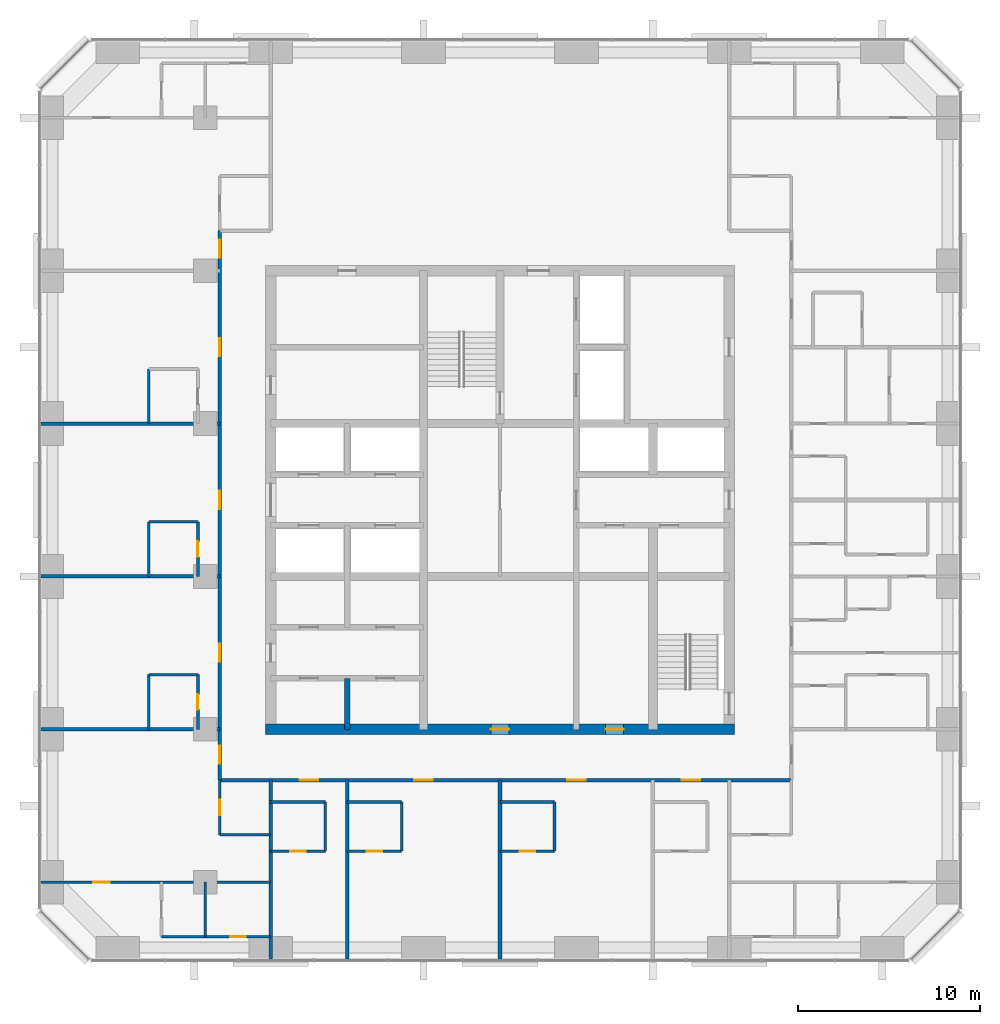
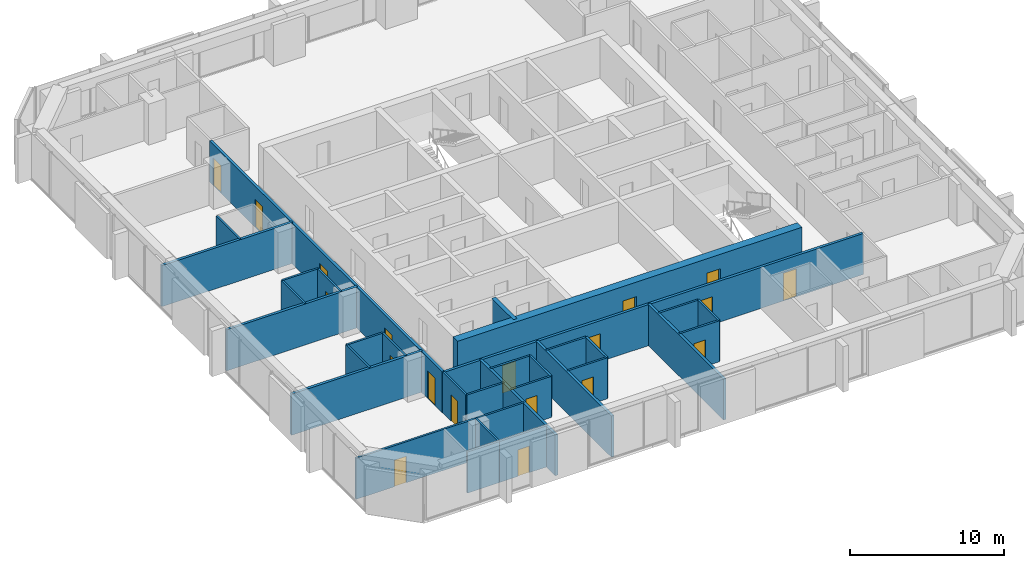
# One storey, part 8 of 13: 32 walls, 19 doors, 19 openings.
"""IFC4 building model written with IfcOpenShell, lengths in metres."""

from ifc_helpers import new_model, si_unit, direction, frame, frame_2d, origin, place, context, subcontext, project, spatial, rectangle, extrude, material, layer, layer_set, type_object, element, fill, save


model = new_model("IFC4")

# Units and contexts
model_context = context("Model", 3, precision=1e-05, world=origin(), true_north=direction((0.0, 1.0)))
body_context = subcontext(model_context, "Body", "Model", "MODEL_VIEW")
ifc_project = project(units=[si_unit("LENGTHUNIT", "METRE"), si_unit("AREAUNIT", "SQUARE_METRE"), si_unit("VOLUMEUNIT", "CUBIC_METRE"), si_unit("PLANEANGLEUNIT", "RADIAN"), si_unit("MASSUNIT", "GRAM", prefix="KILO")], contexts=[model_context])

# Site, building, storey
site_placement = place(None, origin())
site = spatial("IfcSite", under=ifc_project, at=site_placement, CompositionType="ELEMENT")
building_placement = place(site_placement, origin())
building = spatial("IfcBuilding", under=site, at=building_placement, Name="Dunama Terrace Hotel", CompositionType="ELEMENT")
storey_placement = place(building_placement, frame((0.0, 0.0, 191.39990234375)))
storey = spatial("IfcBuildingStorey", under=building, at=storey_placement, Name="L49", CompositionType="ELEMENT", Elevation=191.39990234375)

# Walls
ifc_material_1 = material(Name="Gypsum board partition", Category="masonry")
ifc_layer_1 = layer(ifc_material_1, 0.14990234375)
ifc_layer_set_1 = layer_set([ifc_layer_1], Name="Bathroom partition 150")
wall_type_1 = type_object("IfcWallType", Name="Bathroom partition 150", PredefinedType="PARTITIONING", material=ifc_layer_set_1)
for number, where, z_axis, x_axis, name in (
    (1, (10.10009765625, 16.800048828125, 0.0), (0.0, 0.0, 1.0), (0.0, 1.0, 0.0), "Bathroom partition 150 L49"),
    (2, (10.10009765625, 25.199951171875, 0.0), (0.0, 0.0, 1.0), (0.0, 1.0, 0.0), "Bathroom partition 150 L49"),
    (3, (10.10009765625, 33.60009765625, 0.0), (0.0, 0.0, 1.0), (0.0, 1.0, 0.0), "Bathroom partition 150 L49"),
):
    element("IfcWall", number, at=place(storey_placement, frame(where, z_axis=z_axis, x_axis=x_axis)), inside=storey, type_object=wall_type_1, Name=name, PredefinedType="PARTITIONING", context=body_context, shape_type="SweptSolid", body=[
        extrude(rectangle(XDim=3.0, YDim=0.14990234375, at=frame_2d((1.5, 0.0))), origin(), (0.0, 0.0, 1.0), 3.25),
    ])

# Wall, opening, door
wall_1_placement = place(storey_placement, frame((12.800048828125, 16.800048828125, 0.0), z_axis=(0.0, 0.0, 1.0), x_axis=(0.0, 1.0, 0.0)))
wall_1 = element("IfcWall", 4, at=wall_1_placement, inside=storey, type_object=wall_type_1, Name="Bathroom partition 150 L49", PredefinedType="PARTITIONING", context=body_context, shape_type="SweptSolid", body=[
    extrude(rectangle(XDim=3.0, YDim=0.14990234375, at=frame_2d((1.5, 0.0))), origin(), (0.0, 0.0, 1.0), 3.25),
])
opening_1_placement = place(wall_1_placement, frame((1.074951171875, 0.0, 0.0)))
opening_1 = element("IfcOpeningElement", 5, at=opening_1_placement, cuts=wall_1, Name="Opening L48-50-034", PredefinedType="OPENING", context=body_context, shape_type="SweptSolid", body=[
    extrude(rectangle(XDim=0.85009765625, YDim=2.10009765625, at=frame_2d((0.425048828125, 1.050048828125))), frame((0.0, 0.0849609375, 0.0), z_axis=(0.0, -1.0, 0.0), x_axis=(1.0, 0.0, 0.0)), (0.0, 0.0, 1.0), 0.169921875),
])
ifc_material_2 = material(Name="Timber door with steel frame", Category="steel")
door_type_1 = type_object("IfcDoorType", Name="Bathroom door 850", OperationType="SINGLE_SWING_LEFT", PredefinedType="DOOR", material=ifc_material_2)
door_1_placement = place(opening_1_placement, origin())
door_1 = element("IfcDoor", 6, at=door_1_placement, inside=storey, type_object=door_type_1, Name="Door to en-suite bathroom L48-50-034, type D2", OperationType="SINGLE_SWING_LEFT", OverallHeight=2.10009765625, OverallWidth=0.85009765625, PredefinedType="DOOR", context=body_context, shape_type="SweptSolid", body=[
    extrude(rectangle(XDim=0.85009765625, YDim=2.10009765625, at=frame_2d((0.425048828125, 1.050048828125))), frame((0.0, 0.02490234375, 0.0), z_axis=(0.0, -1.0, 0.0), x_axis=(1.0, 0.0, 0.0)), (0.0, 0.0, 1.0), 0.050048828125),
])
fill(opening_1, door_1)

wall_2_placement = place(storey_placement, frame((12.800048828125, 25.199951171875, 0.0), z_axis=(0.0, 0.0, 1.0), x_axis=(0.0, 1.0, 0.0)))
wall_2 = element("IfcWall", 7, at=wall_2_placement, inside=storey, type_object=wall_type_1, Name="Bathroom partition 150 L49", PredefinedType="PARTITIONING", context=body_context, shape_type="SweptSolid", body=[
    extrude(rectangle(XDim=3.0, YDim=0.14990234375, at=frame_2d((1.5, 0.0))), origin(), (0.0, 0.0, 1.0), 3.25),
])
opening_2_placement = place(wall_2_placement, frame((1.074951171875, 0.0, 0.0)))
opening_2 = element("IfcOpeningElement", 8, at=opening_2_placement, cuts=wall_2, Name="Opening L48-50-036", PredefinedType="OPENING", context=body_context, shape_type="SweptSolid", body=[
    extrude(rectangle(XDim=0.85009765625, YDim=2.10009765625, at=frame_2d((0.425048828125, 1.050048828125))), frame((0.0, 0.0849609375, 0.0), z_axis=(0.0, -1.0, 0.0), x_axis=(1.0, 0.0, 0.0)), (0.0, 0.0, 1.0), 0.169921875),
])
door_2_placement = place(opening_2_placement, origin())
door_2 = element("IfcDoor", 9, at=door_2_placement, inside=storey, type_object=door_type_1, Name="Door to en-suite bathroom L48-50-036, type D2", OperationType="SINGLE_SWING_LEFT", OverallHeight=2.10009765625, OverallWidth=0.85009765625, PredefinedType="DOOR", context=body_context, shape_type="SweptSolid", body=[
    extrude(rectangle(XDim=0.85009765625, YDim=2.10009765625, at=frame_2d((0.425048828125, 1.050048828125))), frame((0.0, 0.02490234375, 0.0), z_axis=(0.0, -1.0, 0.0), x_axis=(1.0, 0.0, 0.0)), (0.0, 0.0, 1.0), 0.050048828125),
])
fill(opening_2, door_2)

wall_3_placement = place(storey_placement, frame((14.0, 11.0, 0.0), z_axis=(0.0, 0.0, 1.0), x_axis=(0.0, 1.0, 0.0)))
wall_3 = element("IfcWall", 10, at=wall_3_placement, inside=storey, type_object=wall_type_1, Name="Bathroom partition 150 L49", PredefinedType="PARTITIONING", context=body_context, shape_type="SweptSolid", body=[
    extrude(rectangle(XDim=3.0, YDim=0.14990234375, at=frame_2d((1.5, 0.0))), origin(), (0.0, 0.0, 1.0), 3.25),
])
opening_3_placement = place(wall_3_placement, frame((1.074951171875, 0.0, 0.0)))
opening_3 = element("IfcOpeningElement", 11, at=opening_3_placement, cuts=wall_3, Name="Opening L48-50-040", PredefinedType="OPENING", context=body_context, shape_type="SweptSolid", body=[
    extrude(rectangle(XDim=0.85009765625, YDim=2.10009765625, at=frame_2d((0.425048828125, 1.050048828125))), frame((0.0, 0.0849609375, 0.0), z_axis=(0.0, -1.0, 0.0), x_axis=(1.0, 0.0, 0.0)), (0.0, 0.0, 1.0), 0.169921875),
])
door_3_placement = place(opening_3_placement, frame((0.85009765625, 0.0, 0.0), z_axis=(0.0, 0.0, 1.0), x_axis=(-1.0, 0.0, 0.0)))
door_3 = element("IfcDoor", 12, at=door_3_placement, inside=storey, type_object=door_type_1, Name="Door to powder room L48-50-040, type D2", OperationType="SINGLE_SWING_LEFT", OverallHeight=2.10009765625, OverallWidth=0.85009765625, PredefinedType="DOOR", context=body_context, shape_type="SweptSolid", body=[
    extrude(rectangle(XDim=0.85009765625, YDim=2.10009765625, at=frame_2d((0.425048828125, 1.050048828125))), frame((0.0, 0.025146484375, 0.0), z_axis=(0.0, -1.0, 0.0), x_axis=(1.0, 0.0, 0.0)), (0.0, 0.0, 1.0), 0.050048828125),
])
fill(opening_3, door_3)

# Walls
for number, where, z_axis, x_axis, name in (
    (13, (19.800048828125, 10.10009765625, 0.0), (0.0, 0.0, 1.0), (0.0, 1.0, 0.0), "Bathroom partition 150 L49"),
    (14, (24.0, 10.10009765625, 0.0), (0.0, 0.0, 1.0), (0.0, 1.0, 0.0), "Bathroom partition 150 L49"),
    (15, (32.39990234375, 10.10009765625, 0.0), (0.0, 0.0, 1.0), (0.0, 1.0, 0.0), "Bathroom partition 150 L49"),
):
    element("IfcWall", number, at=place(storey_placement, frame(where, z_axis=z_axis, x_axis=x_axis)), inside=storey, type_object=wall_type_1, Name=name, PredefinedType="PARTITIONING", context=body_context, shape_type="SweptSolid", body=[
        extrude(rectangle(XDim=2.699951171875, YDim=0.14990234375, at=frame_2d((1.35009765625, 0.0))), origin(), (0.0, 0.0, 1.0), 3.25),
    ])

# Wall, opening, door
wall_4_placement = place(storey_placement, frame((13.199951171875, 5.39990234375, 0.0), z_axis=(0.0, 0.0, 1.0), x_axis=(1.0, 0.0, 0.0)))
wall_4 = element("IfcWall", 16, at=wall_4_placement, inside=storey, type_object=wall_type_1, Name="Bathroom partition 150 L49", PredefinedType="PARTITIONING", context=body_context, shape_type="SweptSolid", body=[
    extrude(rectangle(XDim=3.60009765625, YDim=0.14990234375, at=frame_2d((1.800048828125, 0.0))), origin(), (0.0, 0.0, 1.0), 3.25),
])
opening_4_placement = place(wall_4_placement, frame((1.375, 0.0, 0.0)))
opening_4 = element("IfcOpeningElement", 17, at=opening_4_placement, cuts=wall_4, Name="Opening L48-50-042", PredefinedType="OPENING", context=body_context, shape_type="SweptSolid", body=[
    extrude(rectangle(XDim=0.85009765625, YDim=2.10009765625, at=frame_2d((0.425048828125, 1.050048828125))), frame((0.0, 0.0849609375, 0.0), z_axis=(0.0, -1.0, 0.0), x_axis=(1.0, 0.0, 0.0)), (0.0, 0.0, 1.0), 0.169921875),
])
door_4_placement = place(opening_4_placement, origin())
door_4 = element("IfcDoor", 18, at=door_4_placement, inside=storey, type_object=door_type_1, Name="Door to en-suite bathroom L48-50-042, type D2", OperationType="SINGLE_SWING_RIGHT", OverallHeight=2.10009765625, OverallWidth=0.85009765625, PredefinedType="DOOR", context=body_context, shape_type="SweptSolid", body=[
    extrude(rectangle(XDim=0.85009765625, YDim=2.10009765625, at=frame_2d((0.425048828125, 1.050048828125))), frame((0.0, 0.02490234375, 0.0), z_axis=(0.0, -1.0, 0.0), x_axis=(1.0, 0.0, 0.0)), (0.0, 0.0, 1.0), 0.050048828125),
])
fill(opening_4, door_4)

wall_5_placement = place(storey_placement, frame((16.800048828125, 10.10009765625, 0.0), z_axis=(0.0, 0.0, 1.0), x_axis=(1.0, 0.0, 0.0)))
wall_5 = element("IfcWall", 19, at=wall_5_placement, inside=storey, type_object=wall_type_1, Name="Bathroom partition 150 L49", PredefinedType="PARTITIONING", context=body_context, shape_type="SweptSolid", body=[
    extrude(rectangle(XDim=3.0, YDim=0.14990234375, at=frame_2d((1.5, 0.0))), origin(), (0.0, 0.0, 1.0), 3.25),
])
opening_5_placement = place(wall_5_placement, frame((1.074951171875, 0.0, 0.0)))
opening_5 = element("IfcOpeningElement", 20, at=opening_5_placement, cuts=wall_5, Name="Opening L48-50-010", PredefinedType="OPENING", context=body_context, shape_type="SweptSolid", body=[
    extrude(rectangle(XDim=0.85009765625, YDim=2.10009765625, at=frame_2d((0.425048828125, 1.050048828125))), frame((0.0, 0.0849609375, 0.0), z_axis=(0.0, -1.0, 0.0), x_axis=(1.0, 0.0, 0.0)), (0.0, 0.0, 1.0), 0.169921875),
])
door_5_placement = place(opening_5_placement, origin())
door_5 = element("IfcDoor", 21, at=door_5_placement, inside=storey, type_object=door_type_1, Name="Door to en-suite bathroom L48-50-010, type D2", OperationType="SINGLE_SWING_LEFT", OverallHeight=2.10009765625, OverallWidth=0.85009765625, PredefinedType="DOOR", context=body_context, shape_type="SweptSolid", body=[
    extrude(rectangle(XDim=0.85009765625, YDim=2.10009765625, at=frame_2d((0.425048828125, 1.050048828125))), frame((0.0, 0.02490234375, 0.0), z_axis=(0.0, -1.0, 0.0), x_axis=(1.0, 0.0, 0.0)), (0.0, 0.0, 1.0), 0.050048828125),
])
fill(opening_5, door_5)

wall_6_placement = place(storey_placement, frame((21.0, 10.10009765625, 0.0), z_axis=(0.0, 0.0, 1.0), x_axis=(1.0, 0.0, 0.0)))
wall_6 = element("IfcWall", 22, at=wall_6_placement, inside=storey, type_object=wall_type_1, Name="Bathroom partition 150 L49", PredefinedType="PARTITIONING", context=body_context, shape_type="SweptSolid", body=[
    extrude(rectangle(XDim=3.0, YDim=0.14990234375, at=frame_2d((1.5, 0.0))), origin(), (0.0, 0.0, 1.0), 3.25),
])
opening_6_placement = place(wall_6_placement, frame((1.074951171875, 0.0, 0.0)))
opening_6 = element("IfcOpeningElement", 23, at=opening_6_placement, cuts=wall_6, Name="Opening L48-50-012", PredefinedType="OPENING", context=body_context, shape_type="SweptSolid", body=[
    extrude(rectangle(XDim=0.85009765625, YDim=2.10009765625, at=frame_2d((0.425048828125, 1.050048828125))), frame((0.0, 0.0849609375, 0.0), z_axis=(0.0, -1.0, 0.0), x_axis=(1.0, 0.0, 0.0)), (0.0, 0.0, 1.0), 0.169921875),
])
door_6_placement = place(opening_6_placement, origin())
door_6 = element("IfcDoor", 24, at=door_6_placement, inside=storey, type_object=door_type_1, Name="Door to en-suite bathroom L48-50-012, type D2", OperationType="SINGLE_SWING_LEFT", OverallHeight=2.10009765625, OverallWidth=0.85009765625, PredefinedType="DOOR", context=body_context, shape_type="SweptSolid", body=[
    extrude(rectangle(XDim=0.85009765625, YDim=2.10009765625, at=frame_2d((0.425048828125, 1.050048828125))), frame((0.0, 0.02490234375, 0.0), z_axis=(0.0, -1.0, 0.0), x_axis=(1.0, 0.0, 0.0)), (0.0, 0.0, 1.0), 0.050048828125),
])
fill(opening_6, door_6)

wall_7_placement = place(storey_placement, frame((29.39990234375, 10.10009765625, 0.0), z_axis=(0.0, 0.0, 1.0), x_axis=(1.0, 0.0, 0.0)))
wall_7 = element("IfcWall", 25, at=wall_7_placement, inside=storey, type_object=wall_type_1, Name="Bathroom partition 150 L49", PredefinedType="PARTITIONING", context=body_context, shape_type="SweptSolid", body=[
    extrude(rectangle(XDim=3.0, YDim=0.14990234375, at=frame_2d((1.5, 0.0))), origin(), (0.0, 0.0, 1.0), 3.25),
])
opening_7_placement = place(wall_7_placement, frame((1.074951171875, 0.0, 0.0)))
opening_7 = element("IfcOpeningElement", 26, at=opening_7_placement, cuts=wall_7, Name="Opening L48-50-014", PredefinedType="OPENING", context=body_context, shape_type="SweptSolid", body=[
    extrude(rectangle(XDim=0.85009765625, YDim=2.10009765625, at=frame_2d((0.425048828125, 1.050048828125))), frame((0.0, 0.0849609375, 0.0), z_axis=(0.0, -1.0, 0.0), x_axis=(1.0, 0.0, 0.0)), (0.0, 0.0, 1.0), 0.169921875),
])
door_7_placement = place(opening_7_placement, origin())
door_7 = element("IfcDoor", 27, at=door_7_placement, inside=storey, type_object=door_type_1, Name="Door to en-suite bathroom L48-50-014, type D2", OperationType="SINGLE_SWING_LEFT", OverallHeight=2.10009765625, OverallWidth=0.85009765625, PredefinedType="DOOR", context=body_context, shape_type="SweptSolid", body=[
    extrude(rectangle(XDim=0.85009765625, YDim=2.10009765625, at=frame_2d((0.425048828125, 1.050048828125))), frame((0.0, 0.02490234375, 0.0), z_axis=(0.0, -1.0, 0.0), x_axis=(1.0, 0.0, 0.0)), (0.0, 0.0, 1.0), 0.050048828125),
])
fill(opening_7, door_7)

# Walls
wall_8_placement = place(storey_placement, frame((14.0, 11.0, 0.0), z_axis=(0.0, 0.0, 1.0), x_axis=(1.0, 0.0, 0.0)))
element("IfcWall", 28, at=wall_8_placement, inside=storey, type_object=wall_type_1, Name="Bathroom partition 150 L49", PredefinedType="PARTITIONING", context=body_context, shape_type="SweptSolid", body=[
    extrude(rectangle(XDim=2.800048828125, YDim=0.14990234375, at=frame_2d((1.39990234375, 0.0))), origin(), (0.0, 0.0, 1.0), 3.25),
])
for number, where, z_axis, x_axis, name in (
    (29, (16.800048828125, 12.800048828125, 0.0), (0.0, 0.0, 1.0), (1.0, 0.0, 0.0), "Bathroom partition 150 L49"),
    (30, (21.0, 12.800048828125, 0.0), (0.0, 0.0, 1.0), (1.0, 0.0, 0.0), "Bathroom partition 150 L49"),
    (31, (29.39990234375, 12.800048828125, 0.0), (0.0, 0.0, 1.0), (1.0, 0.0, 0.0), "Bathroom partition 150 L49"),
):
    element("IfcWall", number, at=place(storey_placement, frame(where, z_axis=z_axis, x_axis=x_axis)), inside=storey, type_object=wall_type_1, Name=name, PredefinedType="PARTITIONING", context=body_context, shape_type="SweptSolid", body=[
        extrude(rectangle(XDim=3.0, YDim=0.14990234375, at=frame_2d((1.5, 0.0))), origin(), (0.0, 0.0, 1.0), 3.25),
    ])
for number, where, z_axis, x_axis, name in (
    (32, (10.10009765625, 19.800048828125, 0.0), (0.0, 0.0, 1.0), (1.0, 0.0, 0.0), "Bathroom partition 150 L49"),
    (33, (10.10009765625, 28.199951171875, 0.0), (0.0, 0.0, 1.0), (1.0, 0.0, 0.0), "Bathroom partition 150 L49"),
):
    element("IfcWall", number, at=place(storey_placement, frame(where, z_axis=z_axis, x_axis=x_axis)), inside=storey, type_object=wall_type_1, Name=name, PredefinedType="PARTITIONING", context=body_context, shape_type="SweptSolid", body=[
        extrude(rectangle(XDim=2.699951171875, YDim=0.14990234375, at=frame_2d((1.35009765625, 0.0))), origin(), (0.0, 0.0, 1.0), 3.25),
    ])
ifc_material_3 = material(Name="Concrete C50/60", Category="concrete")
ifc_layer_2 = layer(ifc_material_3, 0.300048828125)
ifc_layer_set_2 = layer_set([ifc_layer_2], Name="Core inner wall 300")
wall_type_2 = type_object("IfcWallType", Name="Core inner wall 300", PredefinedType="SHEAR", material=ifc_layer_set_2)
wall_9_placement = place(storey_placement, frame((21.0, 16.800048828125, -0.349853515625), z_axis=(0.0, 0.0, 1.0), x_axis=(0.0, 1.0, 0.0)))
element("IfcWall", 34, at=wall_9_placement, inside=storey, type_object=wall_type_2, Name="Core inner wall 300 L49", PredefinedType="SHEAR", context=body_context, shape_type="SweptSolid", body=[
    extrude(rectangle(XDim=2.800048828125, YDim=0.300048828125, at=frame_2d((1.39990234375, 0.0))), origin(), (0.0, 0.0, 1.0), 3.599853515625),
])

# Wall, openings, doors
ifc_material_4 = material(Name="Concrete C50/60", Category="concrete")
ifc_layer_3 = layer(ifc_material_4, 0.60009765625)
ifc_layer_set_3 = layer_set([ifc_layer_3], Name="Core wall 600")
wall_type_3 = type_object("IfcWallType", Name="Core wall 600", PredefinedType="SHEAR", material=ifc_layer_set_3)
wall_10_placement = place(storey_placement, frame((16.5, 16.800048828125, -0.349853515625), z_axis=(0.0, 0.0, 1.0), x_axis=(1.0, 0.0, 0.0)))
wall_10 = element("IfcWall", 35, at=wall_10_placement, inside=storey, type_object=wall_type_3, Name="Core wall south L49", PredefinedType="SHEAR", context=body_context, shape_type="SweptSolid", body=[
    extrude(rectangle(XDim=25.800048828125, YDim=0.60009765625, at=frame_2d((12.89990234375, 0.0))), origin(), (0.0, 0.0, 1.0), 3.599853515625),
])
opening_8_placement = place(wall_10_placement, frame((12.39990234375, 0.0, 0.35009765625)))
opening_8 = element("IfcOpeningElement", 36, at=opening_8_placement, cuts=wall_10, Name="Opening L48-50-074", PredefinedType="OPENING", context=body_context, shape_type="SweptSolid", body=[
    extrude(rectangle(XDim=1.0, YDim=2.10009765625, at=frame_2d((0.5, 1.050048828125))), frame((0.0, 0.31005859375, 0.0), z_axis=(0.0, -1.0, 0.0), x_axis=(1.0, 0.0, 0.0)), (0.0, 0.0, 1.0), 0.6201171875),
])
opening_9_placement = place(wall_10_placement, frame((18.699951171875, 0.0, 0.35009765625)))
opening_9 = element("IfcOpeningElement", 37, at=opening_9_placement, cuts=wall_10, Name="Opening L48-50-075", PredefinedType="OPENING", context=body_context, shape_type="SweptSolid", body=[
    extrude(rectangle(XDim=1.0, YDim=2.10009765625, at=frame_2d((0.5, 1.050048828125))), frame((0.0, 0.31005859375, 0.0), z_axis=(0.0, -1.0, 0.0), x_axis=(1.0, 0.0, 0.0)), (0.0, 0.0, 1.0), 0.6201171875),
])
ifc_material_5 = material(Name="Timber door with steel frame", Category="steel")
door_type_2 = type_object("IfcDoorType", Name="Service door 1000", OperationType="SINGLE_SWING_LEFT", PredefinedType="DOOR", material=ifc_material_5)
door_8_placement = place(opening_8_placement, origin())
door_8 = element("IfcDoor", 38, at=door_8_placement, inside=storey, type_object=door_type_2, Name="Door to corridor air handling room L48-50-074, type D7", OperationType="SINGLE_SWING_LEFT", OverallHeight=2.10009765625, OverallWidth=1.0, PredefinedType="DOOR", context=body_context, shape_type="SweptSolid", body=[
    extrude(rectangle(XDim=1.0, YDim=2.10009765625, at=frame_2d((0.5, 1.050048828125))), frame((0.0, 0.02490234375, 0.0), z_axis=(0.0, -1.0, 0.0), x_axis=(1.0, 0.0, 0.0)), (0.0, 0.0, 1.0), 0.050048828125),
])
fill(opening_8, door_8)
door_9_placement = place(opening_9_placement, origin())
door_9 = element("IfcDoor", 39, at=door_9_placement, inside=storey, type_object=door_type_2, Name="Door to water riser room L48-50-075, type D7", OperationType="SINGLE_SWING_RIGHT", OverallHeight=2.10009765625, OverallWidth=1.0, PredefinedType="DOOR", context=body_context, shape_type="SweptSolid", body=[
    extrude(rectangle(XDim=1.0, YDim=2.10009765625, at=frame_2d((0.5, 1.050048828125))), frame((0.0, 0.02490234375, 0.0), z_axis=(0.0, -1.0, 0.0), x_axis=(1.0, 0.0, 0.0)), (0.0, 0.0, 1.0), 0.050048828125),
])
fill(opening_9, door_9)

ifc_material_6 = material(Name="Concrete blockwork", Category="masonry")
ifc_layer_4 = layer(ifc_material_6, 0.199951171875)
ifc_layer_set_4 = layer_set([ifc_layer_4], Name="Corridor partition 200")
wall_type_4 = type_object("IfcWallType", Name="Corridor partition 200", PredefinedType="PARTITIONING", material=ifc_layer_set_4)
wall_11_placement = place(storey_placement, frame((14.0, 14.0, 0.0), z_axis=(0.0, 0.0, 1.0), x_axis=(0.0, 1.0, 0.0)))
wall_11 = element("IfcWall", 40, at=wall_11_placement, inside=storey, type_object=wall_type_4, Name="Corridor partition 200 L49", PredefinedType="PARTITIONING", context=body_context, shape_type="SweptSolid", body=[
    extrude(rectangle(XDim=30.199951171875, YDim=0.199951171875, at=frame_2d((15.10009765625, 0.0))), origin(), (0.0, 0.0, 1.0), 3.25),
])
opening_10_placement = place(wall_11_placement, frame((6.5, 0.0, 0.0)))
opening_10 = element("IfcOpeningElement", 41, at=opening_10_placement, cuts=wall_11, Name="Opening L48-50-033", PredefinedType="OPENING", context=body_context, shape_type="SweptSolid", body=[
    extrude(rectangle(XDim=1.0, YDim=2.199951171875, at=frame_2d((0.5, 1.10009765625))), frame((0.0, 0.10986328125, 0.0), z_axis=(0.0, -1.0, 0.0), x_axis=(1.0, 0.0, 0.0)), (0.0, 0.0, 1.0), 0.219970703125),
])
opening_11_placement = place(wall_11_placement, frame((14.89990234375, 0.0, 0.0)))
opening_11 = element("IfcOpeningElement", 42, at=opening_11_placement, cuts=wall_11, Name="Opening L48-50-035", PredefinedType="OPENING", context=body_context, shape_type="SweptSolid", body=[
    extrude(rectangle(XDim=1.0, YDim=2.199951171875, at=frame_2d((0.5, 1.10009765625))), frame((0.0, 0.10986328125, 0.0), z_axis=(0.0, -1.0, 0.0), x_axis=(1.0, 0.0, 0.0)), (0.0, 0.0, 1.0), 0.219970703125),
])
opening_12_placement = place(wall_11_placement, frame((23.300048828125, 0.0, 0.0)))
opening_12 = element("IfcOpeningElement", 43, at=opening_12_placement, cuts=wall_11, Name="Opening L48-50-037", PredefinedType="OPENING", context=body_context, shape_type="SweptSolid", body=[
    extrude(rectangle(XDim=1.0, YDim=2.199951171875, at=frame_2d((0.5, 1.10009765625))), frame((0.0, 0.10986328125, 0.0), z_axis=(0.0, -1.0, 0.0), x_axis=(1.0, 0.0, 0.0)), (0.0, 0.0, 1.0), 0.219970703125),
])
opening_13_placement = place(wall_11_placement, frame((0.89990234375, 0.0, 0.0)))
opening_13 = element("IfcOpeningElement", 44, at=opening_13_placement, cuts=wall_11, Name="Opening L48-50-039", PredefinedType="OPENING", context=body_context, shape_type="SweptSolid", body=[
    extrude(rectangle(XDim=1.0, YDim=2.199951171875, at=frame_2d((0.5, 1.10009765625))), frame((0.0, 0.10986328125, 0.0), z_axis=(0.0, -1.0, 0.0), x_axis=(1.0, 0.0, 0.0)), (0.0, 0.0, 1.0), 0.219970703125),
])
opening_14_placement = place(wall_11_placement, frame((28.699951171875, 0.0, 0.0)))
opening_14 = element("IfcOpeningElement", 45, at=opening_14_placement, cuts=wall_11, Name="Opening L48-50-054", PredefinedType="OPENING", context=body_context, shape_type="SweptSolid", body=[
    extrude(rectangle(XDim=1.0, YDim=2.199951171875, at=frame_2d((0.5, 1.10009765625))), frame((0.0, 0.10986328125, 0.0), z_axis=(0.0, -1.0, 0.0), x_axis=(1.0, 0.0, 0.0)), (0.0, 0.0, 1.0), 0.219970703125),
])
ifc_material_7 = material(Name="Timber door with steel frame", Category="steel")
door_type_3 = type_object("IfcDoorType", Name="Guest room door 1000", OperationType="SINGLE_SWING_LEFT", PredefinedType="DOOR", material=ifc_material_7)
door_10_placement = place(opening_10_placement, origin())
door_10 = element("IfcDoor", 46, at=door_10_placement, inside=storey, type_object=door_type_3, Name="Door to junior suite L48-50-033, type D1", OperationType="SINGLE_SWING_LEFT", OverallHeight=2.199951171875, OverallWidth=1.0, PredefinedType="DOOR", context=body_context, shape_type="SweptSolid", body=[
    extrude(rectangle(XDim=1.0, YDim=2.199951171875, at=frame_2d((0.5, 1.10009765625))), frame((0.0, 0.02490234375, 0.0), z_axis=(0.0, -1.0, 0.0), x_axis=(1.0, 0.0, 0.0)), (0.0, 0.0, 1.0), 0.050048828125),
])
fill(opening_10, door_10)
door_11_placement = place(opening_11_placement, origin())
door_11 = element("IfcDoor", 47, at=door_11_placement, inside=storey, type_object=door_type_3, Name="Door to junior suite L48-50-035, type D1", OperationType="SINGLE_SWING_LEFT", OverallHeight=2.199951171875, OverallWidth=1.0, PredefinedType="DOOR", context=body_context, shape_type="SweptSolid", body=[
    extrude(rectangle(XDim=1.0, YDim=2.199951171875, at=frame_2d((0.5, 1.10009765625))), frame((0.0, 0.02490234375, 0.0), z_axis=(0.0, -1.0, 0.0), x_axis=(1.0, 0.0, 0.0)), (0.0, 0.0, 1.0), 0.050048828125),
])
fill(opening_11, door_11)
door_12_placement = place(opening_12_placement, origin())
door_12 = element("IfcDoor", 48, at=door_12_placement, inside=storey, type_object=door_type_3, Name="Door to junior suite L48-50-037, type D1", OperationType="SINGLE_SWING_LEFT", OverallHeight=2.199951171875, OverallWidth=1.0, PredefinedType="DOOR", context=body_context, shape_type="SweptSolid", body=[
    extrude(rectangle(XDim=1.0, YDim=2.199951171875, at=frame_2d((0.5, 1.10009765625))), frame((0.0, 0.02490234375, 0.0), z_axis=(0.0, -1.0, 0.0), x_axis=(1.0, 0.0, 0.0)), (0.0, 0.0, 1.0), 0.050048828125),
])
fill(opening_12, door_12)
door_13_placement = place(opening_13_placement, origin())
door_13 = element("IfcDoor", 49, at=door_13_placement, inside=storey, type_object=door_type_3, Name="Door to corner suite living room L48-50-039, type D1", OperationType="SINGLE_SWING_RIGHT", OverallHeight=2.199951171875, OverallWidth=1.0, PredefinedType="DOOR", context=body_context, shape_type="SweptSolid", body=[
    extrude(rectangle(XDim=1.0, YDim=2.199951171875, at=frame_2d((0.5, 1.10009765625))), frame((0.0, 0.02490234375, 0.0), z_axis=(0.0, -1.0, 0.0), x_axis=(1.0, 0.0, 0.0)), (0.0, 0.0, 1.0), 0.050048828125),
])
fill(opening_13, door_13)
door_14_placement = place(opening_14_placement, origin())
door_14 = element("IfcDoor", 50, at=door_14_placement, inside=storey, type_object=door_type_3, Name="Door to corner suite living room L48-50-054, type D1", OperationType="SINGLE_SWING_LEFT", OverallHeight=2.199951171875, OverallWidth=1.0, PredefinedType="DOOR", context=body_context, shape_type="SweptSolid", body=[
    extrude(rectangle(XDim=1.0, YDim=2.199951171875, at=frame_2d((0.5, 1.10009765625))), frame((0.0, 0.02490234375, 0.0), z_axis=(0.0, -1.0, 0.0), x_axis=(1.0, 0.0, 0.0)), (0.0, 0.0, 1.0), 0.050048828125),
])
fill(opening_14, door_14)

wall_12_placement = place(storey_placement, frame((45.39990234375, 14.0, 0.0), z_axis=(0.0, 0.0, 1.0), x_axis=(-1.0, 0.0, 0.0)))
wall_12 = element("IfcWall", 51, at=wall_12_placement, inside=storey, type_object=wall_type_4, Name="Corridor partition 200 L49", PredefinedType="PARTITIONING", context=body_context, shape_type="SweptSolid", body=[
    extrude(rectangle(XDim=31.39990234375, YDim=0.199951171875, at=frame_2d((15.699951171875, 0.0))), origin(), (0.0, 0.0, 1.0), 3.25),
])
opening_15_placement = place(wall_12_placement, frame((26.0, 0.0, 0.0)))
opening_15 = element("IfcOpeningElement", 52, at=opening_15_placement, cuts=wall_12, Name="Opening L48-50-009", PredefinedType="OPENING", context=body_context, shape_type="SweptSolid", body=[
    extrude(rectangle(XDim=1.0, YDim=2.199951171875, at=frame_2d((0.5, 1.10009765625))), frame((0.0, 0.10986328125, 0.0), z_axis=(0.0, -1.0, 0.0), x_axis=(1.0, 0.0, 0.0)), (0.0, 0.0, 1.0), 0.219970703125),
])
opening_16_placement = place(wall_12_placement, frame((19.699951171875, 0.0, 0.0)))
opening_16 = element("IfcOpeningElement", 53, at=opening_16_placement, cuts=wall_12, Name="Opening L48-50-011", PredefinedType="OPENING", context=body_context, shape_type="SweptSolid", body=[
    extrude(rectangle(XDim=1.0, YDim=2.199951171875, at=frame_2d((0.5, 1.10009765625))), frame((0.0, 0.10986328125, 0.0), z_axis=(0.0, -1.0, 0.0), x_axis=(1.0, 0.0, 0.0)), (0.0, 0.0, 1.0), 0.219970703125),
])
opening_17_placement = place(wall_12_placement, frame((11.300048828125, 0.0, 0.0)))
opening_17 = element("IfcOpeningElement", 54, at=opening_17_placement, cuts=wall_12, Name="Opening L48-50-013", PredefinedType="OPENING", context=body_context, shape_type="SweptSolid", body=[
    extrude(rectangle(XDim=1.0, YDim=2.199951171875, at=frame_2d((0.5, 1.10009765625))), frame((0.0, 0.10986328125, 0.0), z_axis=(0.0, -1.0, 0.0), x_axis=(1.0, 0.0, 0.0)), (0.0, 0.0, 1.0), 0.219970703125),
])
opening_18_placement = place(wall_12_placement, frame((5.0, 0.0, 0.0)))
opening_18 = element("IfcOpeningElement", 55, at=opening_18_placement, cuts=wall_12, Name="Opening L48-50-015", PredefinedType="OPENING", context=body_context, shape_type="SweptSolid", body=[
    extrude(rectangle(XDim=1.0, YDim=2.199951171875, at=frame_2d((0.5, 1.10009765625))), frame((0.0, 0.10986328125, 0.0), z_axis=(0.0, -1.0, 0.0), x_axis=(1.0, 0.0, 0.0)), (0.0, 0.0, 1.0), 0.219970703125),
])
door_15_placement = place(opening_15_placement, origin())
door_15 = element("IfcDoor", 56, at=door_15_placement, inside=storey, type_object=door_type_3, Name="Door to club room L48-50-009, type D1", OperationType="SINGLE_SWING_LEFT", OverallHeight=2.199951171875, OverallWidth=1.0, PredefinedType="DOOR", context=body_context, shape_type="SweptSolid", body=[
    extrude(rectangle(XDim=1.0, YDim=2.199951171875, at=frame_2d((0.5, 1.10009765625))), frame((0.0, 0.02490234375, 0.0), z_axis=(0.0, -1.0, 0.0), x_axis=(1.0, 0.0, 0.0)), (0.0, 0.0, 1.0), 0.050048828125),
])
fill(opening_15, door_15)
door_16_placement = place(opening_16_placement, origin())
door_16 = element("IfcDoor", 57, at=door_16_placement, inside=storey, type_object=door_type_3, Name="Door to junior suite L48-50-011, type D1", OperationType="SINGLE_SWING_RIGHT", OverallHeight=2.199951171875, OverallWidth=1.0, PredefinedType="DOOR", context=body_context, shape_type="SweptSolid", body=[
    extrude(rectangle(XDim=1.0, YDim=2.199951171875, at=frame_2d((0.5, 1.10009765625))), frame((0.0, 0.02490234375, 0.0), z_axis=(0.0, -1.0, 0.0), x_axis=(1.0, 0.0, 0.0)), (0.0, 0.0, 1.0), 0.050048828125),
])
fill(opening_16, door_16)
door_17_placement = place(opening_17_placement, origin())
door_17 = element("IfcDoor", 58, at=door_17_placement, inside=storey, type_object=door_type_3, Name="Door to junior suite L48-50-013, type D1", OperationType="SINGLE_SWING_RIGHT", OverallHeight=2.199951171875, OverallWidth=1.0, PredefinedType="DOOR", context=body_context, shape_type="SweptSolid", body=[
    extrude(rectangle(XDim=1.0, YDim=2.199951171875, at=frame_2d((0.5, 1.10009765625))), frame((0.0, 0.02490234375, 0.0), z_axis=(0.0, -1.0, 0.0), x_axis=(1.0, 0.0, 0.0)), (0.0, 0.0, 1.0), 0.050048828125),
])
fill(opening_17, door_17)
door_18_placement = place(opening_18_placement, origin())
door_18 = element("IfcDoor", 59, at=door_18_placement, inside=storey, type_object=door_type_3, Name="Door to club room L48-50-015, type D1", OperationType="SINGLE_SWING_LEFT", OverallHeight=2.199951171875, OverallWidth=1.0, PredefinedType="DOOR", context=body_context, shape_type="SweptSolid", body=[
    extrude(rectangle(XDim=1.0, YDim=2.199951171875, at=frame_2d((0.5, 1.10009765625))), frame((0.0, 0.02490234375, 0.0), z_axis=(0.0, -1.0, 0.0), x_axis=(1.0, 0.0, 0.0)), (0.0, 0.0, 1.0), 0.050048828125),
])
fill(opening_18, door_18)

# Walls
ifc_material_8 = material(Name="Concrete blockwork", Category="masonry")
ifc_layer_5 = layer(ifc_material_8, 0.199951171875)
ifc_layer_set_5 = layer_set([ifc_layer_5], Name="Party wall 200")
wall_type_5 = type_object("IfcWallType", Name="Party wall 200", PredefinedType="PARTITIONING", material=ifc_layer_set_5)
for number, where, z_axis, x_axis, name in (
    (60, (16.800048828125, 4.181884765625, 0.0), (0.0, 0.0, 1.0), (0.0, 1.0, 0.0), "Party wall 200 L49"),
    (61, (21.0, 4.181884765625, 0.0), (0.0, 0.0, 1.0), (0.0, 1.0, 0.0), "Party wall 200 L49"),
    (62, (29.39990234375, 4.181884765625, 0.0), (0.0, 0.0, 1.0), (0.0, 1.0, 0.0), "Party wall 200 L49"),
    (63, (4.181884765625, 16.800048828125, 0.0), (0.0, 0.0, 1.0), (1.0, 0.0, 0.0), "Party wall 200 L49"),
    (64, (4.181884765625, 25.199951171875, 0.0), (0.0, 0.0, 1.0), (1.0, 0.0, 0.0), "Party wall 200 L49"),
    (65, (4.181884765625, 33.60009765625, 0.0), (0.0, 0.0, 1.0), (1.0, 0.0, 0.0), "Party wall 200 L49"),
):
    element("IfcWall", number, at=place(storey_placement, frame(where, z_axis=z_axis, x_axis=x_axis)), inside=storey, type_object=wall_type_5, Name=name, PredefinedType="PARTITIONING", context=body_context, shape_type="SweptSolid", body=[
        extrude(rectangle(XDim=9.818115234375, YDim=0.199951171875, at=frame_2d((4.9091796875, 0.0))), origin(), (0.0, 0.0, 1.0), 3.25),
    ])
ifc_material_9 = material(Name="Gypsum board partition", Category="masonry")
ifc_layer_6 = layer(ifc_material_9, 0.14990234375)
ifc_layer_set_6 = layer_set([ifc_layer_6], Name="Room partition 150")
wall_type_6 = type_object("IfcWallType", Name="Room partition 150", PredefinedType="PARTITIONING", material=ifc_layer_set_6)
wall_13_placement = place(storey_placement, frame((13.199951171875, 5.39990234375, 0.0), z_axis=(0.0, 0.0, 1.0), x_axis=(0.0, 1.0, 0.0)))
element("IfcWall", 66, at=wall_13_placement, inside=storey, type_object=wall_type_6, Name="Room partition 150 L49", PredefinedType="PARTITIONING", context=body_context, shape_type="SweptSolid", body=[
    extrude(rectangle(XDim=3.0, YDim=0.14990234375, at=frame_2d((1.5, 0.0))), origin(), (0.0, 0.0, 1.0), 3.25),
])
wall_14_placement = place(storey_placement, frame((10.800048828125, 5.39990234375, 0.0), z_axis=(0.0, 0.0, 1.0), x_axis=(1.0, 0.0, 0.0)))
element("IfcWall", 67, at=wall_14_placement, inside=storey, type_object=wall_type_6, Name="Room partition 150 L49", PredefinedType="PARTITIONING", context=body_context, shape_type="SweptSolid", body=[
    extrude(rectangle(XDim=2.39990234375, YDim=0.14990234375, at=frame_2d((1.199951171875, 0.0))), origin(), (0.0, 0.0, 1.0), 3.25),
])

# Wall, opening, door
wall_15_placement = place(storey_placement, frame((4.181884765625, 8.39990234375, 0.0), z_axis=(0.0, 0.0, 1.0), x_axis=(1.0, 0.0, 0.0)))
wall_15 = element("IfcWall", 68, at=wall_15_placement, inside=storey, type_object=wall_type_6, Name="Room partition 150 L49", PredefinedType="PARTITIONING", context=body_context, shape_type="SweptSolid", body=[
    extrude(rectangle(XDim=12.6181640625, YDim=0.14990234375, at=frame_2d((6.30908203125, 0.0))), origin(), (0.0, 0.0, 1.0), 3.25),
])
opening_19_placement = place(wall_15_placement, frame((2.867919921875, 0.0, 0.0)))
opening_19 = element("IfcOpeningElement", 69, at=opening_19_placement, cuts=wall_15, Name="Opening L48-50-041", PredefinedType="OPENING", context=body_context, shape_type="SweptSolid", body=[
    extrude(rectangle(XDim=0.89990234375, YDim=2.10009765625, at=frame_2d((0.449951171875, 1.050048828125))), frame((0.0, 0.0849609375, 0.0), z_axis=(0.0, -1.0, 0.0), x_axis=(1.0, 0.0, 0.0)), (0.0, 0.0, 1.0), 0.169921875),
])
ifc_material_10 = material(Name="Timber door with steel frame", Category="steel")
door_type_4 = type_object("IfcDoorType", Name="Suite internal door 900", OperationType="SINGLE_SWING_LEFT", PredefinedType="DOOR", material=ifc_material_10)
door_19_placement = place(opening_19_placement, frame((0.89990234375, 0.0, 0.0), z_axis=(0.0, 0.0, 1.0), x_axis=(-1.0, 0.0, 0.0)))
door_19 = element("IfcDoor", 70, at=door_19_placement, inside=storey, type_object=door_type_4, Name="Door to corner suite bedroom L48-50-041, type D16", OperationType="SINGLE_SWING_RIGHT", OverallHeight=2.10009765625, OverallWidth=0.89990234375, PredefinedType="DOOR", context=body_context, shape_type="SweptSolid", body=[
    extrude(rectangle(XDim=0.89990234375, YDim=2.10009765625, at=frame_2d((0.449951171875, 1.050048828125))), frame((0.0, 0.025146484375, 0.0), z_axis=(0.0, -1.0, 0.0), x_axis=(1.0, 0.0, 0.0)), (0.0, 0.0, 1.0), 0.050048828125),
])
fill(opening_19, door_19)

save(model, "model.ifc")
